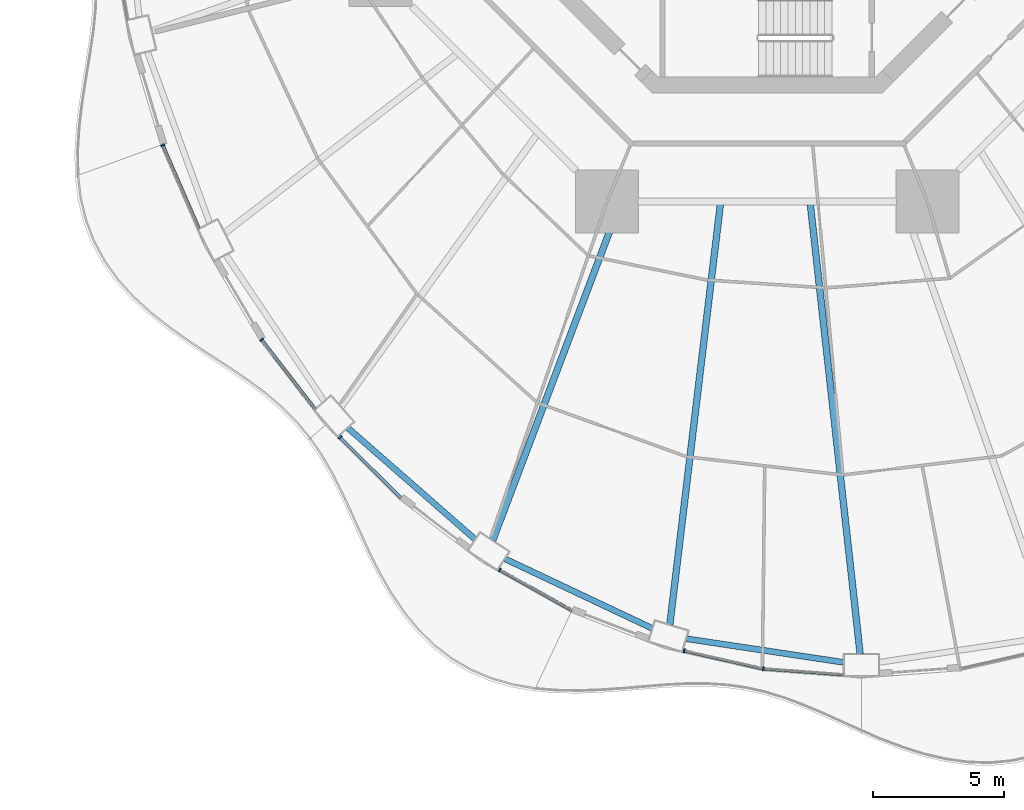
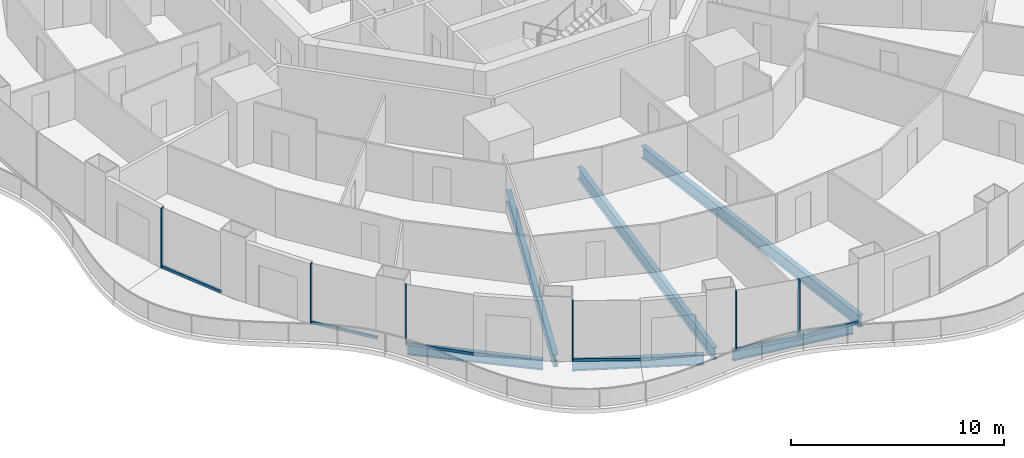
# One storey, part 2 of 21: 12 members, 6 beams, 6 elements without a shape of their own.
"""IFC4 building model written with IfcOpenShell, lengths in metres."""

from ifc_helpers import new_model, si_unit, direction, frame, origin, origin_2d, place, context, subcontext, project, spatial, rectangle, i_section, extrude, material, layer, layer_set, material_profile, profile_set, type_object, element, aggregate, save


model = new_model("IFC4")

# Units and contexts
model_context = context("Model", 3, precision=1e-05, world=origin(), true_north=direction((0.0, 1.0)))
body_context = subcontext(model_context, "Body", "Model", "MODEL_VIEW")
ifc_project = project(units=[si_unit("LENGTHUNIT", "METRE"), si_unit("AREAUNIT", "SQUARE_METRE"), si_unit("VOLUMEUNIT", "CUBIC_METRE"), si_unit("PLANEANGLEUNIT", "RADIAN"), si_unit("MASSUNIT", "GRAM", prefix="KILO")], contexts=[model_context])

# Site, building, storey
site_placement = place(None, origin())
site = spatial("IfcSite", under=ifc_project, at=site_placement, CompositionType="ELEMENT")
building_placement = place(site_placement, origin())
building = spatial("IfcBuilding", under=site, at=building_placement, Name="Nagisa Residences", CompositionType="ELEMENT")
storey_placement = place(building_placement, frame((0.0, 0.0, 60.300048828125)))
storey = spatial("IfcBuildingStorey", under=building, at=storey_placement, Name="L14", CompositionType="ELEMENT", Elevation=60.300048828125)

# Curtain wall, member
ifc_material_1 = material(Name="Concrete-coloured aluminium curtain wall system", Category="concrete")
ifc_layer = layer(ifc_material_1, 0.159912109375)
ifc_layer_set = layer_set([ifc_layer], Name="CW1 CURTAIN WALL")
curtain_wall_type = type_object("IfcCurtainWallType", Name="CW1 CURTAIN WALL", PredefinedType="NOTDEFINED", material=ifc_layer_set)
curtain_wall_1_placement = place(storey_placement, origin())
curtain_wall_1 = element("IfcCurtainWall", 1, at=curtain_wall_1_placement, inside=storey, type_object=curtain_wall_type, Name="cw:CW1:L14:27", PredefinedType="NOTDEFINED")
ifc_material_2 = material(Name="Concrete-coloured aluminium", Category="concrete")
ifc_material_profile_1 = material_profile(ifc_material_2, rectangle(XDim=0.159912109375, YDim=0.06005859375, at=origin_2d()), Name="CW1 MULLION 160x60")
ifc_profile_set_1 = profile_set([ifc_material_profile_1], Name="Concrete-coloured aluminium")
member_type_1 = type_object("IfcMemberType", Name="CW1 MULLION 160x60", PredefinedType="MULLION", material=ifc_profile_set_1)
member_1_placement = place(storey_placement, frame((-23.107177734375, -12.624267578125, 0.0), z_axis=(0.0, 0.0, 1.0), x_axis=(0.917543276295, 0.397635934147, 0.0)))
member_1 = element("IfcMember", 2, at=member_1_placement, type_object=member_type_1, Name="CW1 mullion", PredefinedType="MULLION", context=body_context, shape_type="SweptSolid", body=[
    extrude(rectangle(XDim=0.159912109375, YDim=0.06005859375, at=origin_2d()), origin(), (0.0, 0.0, 1.0), 3.43994140625),
])

curtain_wall_2_placement = place(storey_placement, origin())
curtain_wall_2 = element("IfcCurtainWall", 3, at=curtain_wall_2_placement, inside=storey, type_object=curtain_wall_type, Name="cw:CW1:L14:29", PredefinedType="NOTDEFINED")
member_2_placement = place(storey_placement, frame((-19.32568359375, -20.06396484375, 0.0), z_axis=(0.0, 0.0, 1.0), x_axis=(0.792070340816, 0.610429828235, 0.0)))
member_2 = element("IfcMember", 4, at=member_2_placement, type_object=member_type_1, Name="CW1 mullion", PredefinedType="MULLION", context=body_context, shape_type="SweptSolid", body=[
    extrude(rectangle(XDim=0.159912109375, YDim=0.06005859375, at=origin_2d()), origin(), (0.0, 0.0, 1.0), 3.43994140625),
])

curtain_wall_3_placement = place(storey_placement, origin())
curtain_wall_3 = element("IfcCurtainWall", 5, at=curtain_wall_3_placement, inside=storey, type_object=curtain_wall_type, Name="cw:CW1:L14:30", PredefinedType="NOTDEFINED")
member_3_placement = place(storey_placement, frame((-16.332763671875, -23.79345703125, 0.0), z_axis=(0.0, 0.0, 1.0), x_axis=(0.706376885714, 0.707835924016, 0.0)))
member_3 = element("IfcMember", 6, at=member_3_placement, type_object=member_type_1, Name="CW1 mullion", PredefinedType="MULLION", context=body_context, shape_type="SweptSolid", body=[
    extrude(rectangle(XDim=0.159912109375, YDim=0.06005859375, at=origin_2d()), origin(), (0.0, 0.0, 1.0), 3.43994140625),
])

curtain_wall_4_placement = place(storey_placement, origin())
curtain_wall_4 = element("IfcCurtainWall", 7, at=curtain_wall_4_placement, inside=storey, type_object=curtain_wall_type, Name="cw:CW1:L14:32", PredefinedType="NOTDEFINED")
member_4_placement = place(storey_placement, frame((-10.22412109375, -28.8662109375, 0.0), z_axis=(0.0, 0.0, 1.0), x_axis=(0.489376918501, 0.872072377523, 0.0)))
member_4 = element("IfcMember", 8, at=member_4_placement, type_object=member_type_1, Name="CW1 mullion", PredefinedType="MULLION", context=body_context, shape_type="SweptSolid", body=[
    extrude(rectangle(XDim=0.159912109375, YDim=0.06005859375, at=origin_2d()), origin(), (0.0, 0.0, 1.0), 3.43994140625),
])

curtain_wall_5_placement = place(storey_placement, origin())
curtain_wall_5 = element("IfcCurtainWall", 9, at=curtain_wall_5_placement, inside=storey, type_object=curtain_wall_type, Name="cw:CW1:L14:34", PredefinedType="NOTDEFINED")
member_5_placement = place(storey_placement, frame((-3.176025390625, -31.958740234375, 0.0), z_axis=(0.0, 0.0, 1.0), x_axis=(0.2207639201, 0.975327274089, 0.0)))
member_5 = element("IfcMember", 10, at=member_5_placement, type_object=member_type_1, Name="CW1 mullion", PredefinedType="MULLION", context=body_context, shape_type="SweptSolid", body=[
    extrude(rectangle(XDim=0.159912109375, YDim=0.06005859375, at=origin_2d()), origin(), (0.0, 0.0, 1.0), 3.43994140625),
])

curtain_wall_6_placement = place(storey_placement, origin())
curtain_wall_6 = element("IfcCurtainWall", 11, at=curtain_wall_6_placement, inside=storey, type_object=curtain_wall_type, Name="cw:CW1:L14:35", PredefinedType="NOTDEFINED")
member_6_placement = place(storey_placement, frame((-0.1494140625, -32.64013671875, 0.0), z_axis=(0.0, 0.0, 1.0), x_axis=(0.074377355493, 0.997230168512, 0.0)))
member_6 = element("IfcMember", 12, at=member_6_placement, type_object=member_type_1, Name="CW1 mullion", PredefinedType="MULLION", context=body_context, shape_type="SweptSolid", body=[
    extrude(rectangle(XDim=0.159912109375, YDim=0.06005859375, at=origin_2d()), origin(), (0.0, 0.0, 1.0), 3.43994140625),
])

# Member
ifc_material_3 = material(Name="Concrete-coloured aluminium", Category="concrete")
ifc_material_profile_2 = material_profile(ifc_material_3, rectangle(XDim=0.1201171875, YDim=0.14990234375, at=origin_2d()), Name="CW1 TRANSOM 120x150")
ifc_profile_set_2 = profile_set([ifc_material_profile_2], Name="Concrete-coloured aluminium")
member_type_2 = type_object("IfcMemberType", Name="CW1 TRANSOM 120x150", PredefinedType="USERDEFINED", material=ifc_profile_set_2)
member_7_placement = place(storey_placement, frame((-23.119140625, -12.5966796875, 0.074951171875), z_axis=(0.397624958345, -0.917548032803, 0.0), x_axis=(0.917548032803, 0.397624958345, 0.0)))
member_7 = element("IfcMember", 13, at=member_7_placement, type_object=member_type_2, Name="CW1 transom", ObjectType="TRANSOM", PredefinedType="USERDEFINED", context=body_context, shape_type="SweptSolid", body=[
    extrude(rectangle(XDim=0.1201171875, YDim=0.14990234375, at=origin_2d()), origin(), (0.0, 0.0, 1.0), 3.51953125),
])

aggregate(curtain_wall_1, [member_1, member_7])

member_8_placement = place(storey_placement, frame((-19.343994140625, -20.040283203125, 0.074951171875), z_axis=(0.610457147657, -0.792049285635, 0.0), x_axis=(0.792049285635, 0.610457147657, 0.0)))
member_8 = element("IfcMember", 14, at=member_8_placement, type_object=member_type_2, Name="CW1 transom", ObjectType="TRANSOM", PredefinedType="USERDEFINED", context=body_context, shape_type="SweptSolid", body=[
    extrude(rectangle(XDim=0.1201171875, YDim=0.14990234375, at=origin_2d()), origin(), (0.0, 0.0, 1.0), 3.3974609375),
])

aggregate(curtain_wall_2, [member_2, member_8])

member_9_placement = place(storey_placement, frame((-16.35400390625, -23.7724609375, 0.074951171875), z_axis=(0.707839761606, -0.706373040177, 0.0), x_axis=(0.706373040177, 0.707839761606, 0.0)))
member_9 = element("IfcMember", 15, at=member_9_placement, type_object=member_type_2, Name="CW1 transom", ObjectType="TRANSOM", PredefinedType="USERDEFINED", context=body_context, shape_type="SweptSolid", body=[
    extrude(rectangle(XDim=0.1201171875, YDim=0.14990234375, at=origin_2d()), origin(), (0.0, 0.0, 1.0), 3.3291015625),
])

aggregate(curtain_wall_3, [member_3, member_9])

member_10_placement = place(storey_placement, frame((-10.25048828125, -28.8515625, 0.074951171875), z_axis=(0.872070011948, -0.489381133946, 0.0), x_axis=(0.489381133946, 0.872070011948, 0.0)))
member_10 = element("IfcMember", 16, at=member_10_placement, type_object=member_type_2, Name="CW1 transom", ObjectType="TRANSOM", PredefinedType="USERDEFINED", context=body_context, shape_type="SweptSolid", body=[
    extrude(rectangle(XDim=0.1201171875, YDim=0.14990234375, at=origin_2d()), origin(), (0.0, 0.0, 1.0), 3.201171875),
])

aggregate(curtain_wall_4, [member_4, member_10])

member_11_placement = place(storey_placement, frame((-3.205322265625, -31.9521484375, 0.074951171875), z_axis=(0.97533495413, -0.220729987208, 0.0), x_axis=(0.220729987208, 0.97533495413, 0.0)))
member_11 = element("IfcMember", 17, at=member_11_placement, type_object=member_type_2, Name="CW1 transom", ObjectType="TRANSOM", PredefinedType="USERDEFINED", context=body_context, shape_type="SweptSolid", body=[
    extrude(rectangle(XDim=0.1201171875, YDim=0.14990234375, at=origin_2d()), origin(), (0.0, 0.0, 1.0), 3.11474609375),
])

aggregate(curtain_wall_5, [member_5, member_11])

member_12_placement = place(storey_placement, frame((-0.17919921875, -32.637939453125, 0.074951171875), z_axis=(0.997230834878, -0.074368420505, 0.0), x_axis=(0.074368420505, 0.997230834878, 0.0)))
member_12 = element("IfcMember", 18, at=member_12_placement, type_object=member_type_2, Name="CW1 transom", ObjectType="TRANSOM", PredefinedType="USERDEFINED", context=body_context, shape_type="SweptSolid", body=[
    extrude(rectangle(XDim=0.1201171875, YDim=0.14990234375, at=origin_2d()), origin(), (0.0, 0.0, 1.0), 3.095703125),
])

aggregate(curtain_wall_6, [member_6, member_12])

# Beams
ifc_material_4 = material(Name="Steel ASTM A572 Gr 50", Category="steel")
ifc_material_profile_3 = material_profile(ifc_material_4, i_section(OverallWidth=0.22802734375, OverallDepth=0.60302734375, WebThickness=0.010498046875, FlangeThickness=0.014892578125, at=origin_2d()), Name="W610x101")
ifc_profile_set_3 = profile_set([ifc_material_profile_3], Name="Steel ASTM A572 Gr 50")
beam_type_1 = type_object("IfcBeamType", Name="Perimeter ring beam W610x101", PredefinedType="BEAM", material=ifc_profile_set_3)
beam_1_placement = place(storey_placement, frame((-16.0361328125, -23.432861328125, -0.5615234375), z_axis=(0.752574357292, -0.658507279191, 0.0), x_axis=(0.658507279191, 0.752574357292, 0.0)))
element("IfcBeam", 19, at=beam_1_placement, inside=storey, type_object=beam_type_1, Name="beam:L14:pb16", PredefinedType="BEAM", context=body_context, shape_type="SweptSolid", body=[
    extrude(i_section(OverallWidth=0.22802734375, OverallDepth=0.60302734375, WebThickness=0.010498046875, FlangeThickness=0.014892578125, at=origin_2d()), origin(), (0.0, 0.0, 1.0), 6.47021484375),
])
beam_2_placement = place(storey_placement, frame((-10.02880859375, -28.439208984375, -0.5615234375), z_axis=(0.904208275867, -0.427091786216, 0.0), x_axis=(0.427091786216, 0.904208275867, 0.0)))
element("IfcBeam", 20, at=beam_2_placement, inside=storey, type_object=beam_type_1, Name="beam:L14:pb17", PredefinedType="BEAM", context=body_context, shape_type="SweptSolid", body=[
    extrude(i_section(OverallWidth=0.22802734375, OverallDepth=0.60302734375, WebThickness=0.010498046875, FlangeThickness=0.014892578125, at=origin_2d()), origin(), (0.0, 0.0, 1.0), 6.227294921875),
])
beam_3_placement = place(storey_placement, frame((-3.096435546875, -31.49462890625, -0.5615234375), z_axis=(0.988914559467, -0.14848566959, 0.0), x_axis=(0.14848566959, 0.988914559467, 0.0)))
element("IfcBeam", 21, at=beam_3_placement, inside=storey, type_object=beam_type_1, Name="beam:L14:pb18", PredefinedType="BEAM", context=body_context, shape_type="SweptSolid", body=[
    extrude(i_section(OverallWidth=0.22802734375, OverallDepth=0.60302734375, WebThickness=0.010498046875, FlangeThickness=0.014892578125, at=origin_2d()), origin(), (0.0, 0.0, 1.0), 6.08349609375),
])
ifc_material_5 = material(Name="Steel ASTM A572 Gr 50", Category="steel")
ifc_material_profile_4 = material_profile(ifc_material_5, i_section(OverallWidth=0.25390625, OverallDepth=0.68408203125, WebThickness=0.012451171875, FlangeThickness=0.018798828125, at=origin_2d()), Name="W690x140")
ifc_profile_set_4 = profile_set([ifc_material_profile_4], Name="Steel ASTM A572 Gr 50")
beam_type_2 = type_object("IfcBeamType", Name="Radial beam W690x140", PredefinedType="BEAM", material=ifc_profile_set_4)
beam_4_placement = place(storey_placement, frame((-10.493896484375, -27.7333984375, -0.60205078125), z_axis=(0.353887892206, 0.935287848606, 0.0), x_axis=(-0.935287848606, 0.353887892206, 0.0)))
element("IfcBeam", 22, at=beam_4_placement, inside=storey, type_object=beam_type_2, Name="beam:L14:rb17", PredefinedType="BEAM", context=body_context, shape_type="SweptSolid", body=[
    extrude(i_section(OverallWidth=0.25390625, OverallDepth=0.68408203125, WebThickness=0.012451171875, FlangeThickness=0.018798828125, at=origin_2d()), origin(), (0.0, 0.0, 1.0), 13.725830078125),
])
beam_5_placement = place(storey_placement, frame((-3.72412109375, -30.958740234375, -0.60205078125), z_axis=(0.119431411612, 0.992842453726, 0.0), x_axis=(-0.992842453726, 0.119431411612, 0.0)))
element("IfcBeam", 23, at=beam_5_placement, inside=storey, type_object=beam_type_2, Name="beam:L14:rb18", PredefinedType="BEAM", context=body_context, shape_type="SweptSolid", body=[
    extrude(i_section(OverallWidth=0.25390625, OverallDepth=0.68408203125, WebThickness=0.012451171875, FlangeThickness=0.018798828125, at=origin_2d()), origin(), (0.0, 0.0, 1.0), 16.1796875),
])
beam_6_placement = place(storey_placement, frame((3.55224609375, -32.06982421875, -0.60205078125), z_axis=(-0.110088818647, 0.993921753464, 0.0), x_axis=(-0.993921753464, -0.110088818647, 0.0)))
element("IfcBeam", 24, at=beam_6_placement, inside=storey, type_object=beam_type_2, Name="beam:L14:rb19", PredefinedType="BEAM", context=body_context, shape_type="SweptSolid", body=[
    extrude(i_section(OverallWidth=0.25390625, OverallDepth=0.68408203125, WebThickness=0.012451171875, FlangeThickness=0.018798828125, at=origin_2d()), origin(), (0.0, 0.0, 1.0), 17.280029296875),
])

save(model, "model.ifc")
